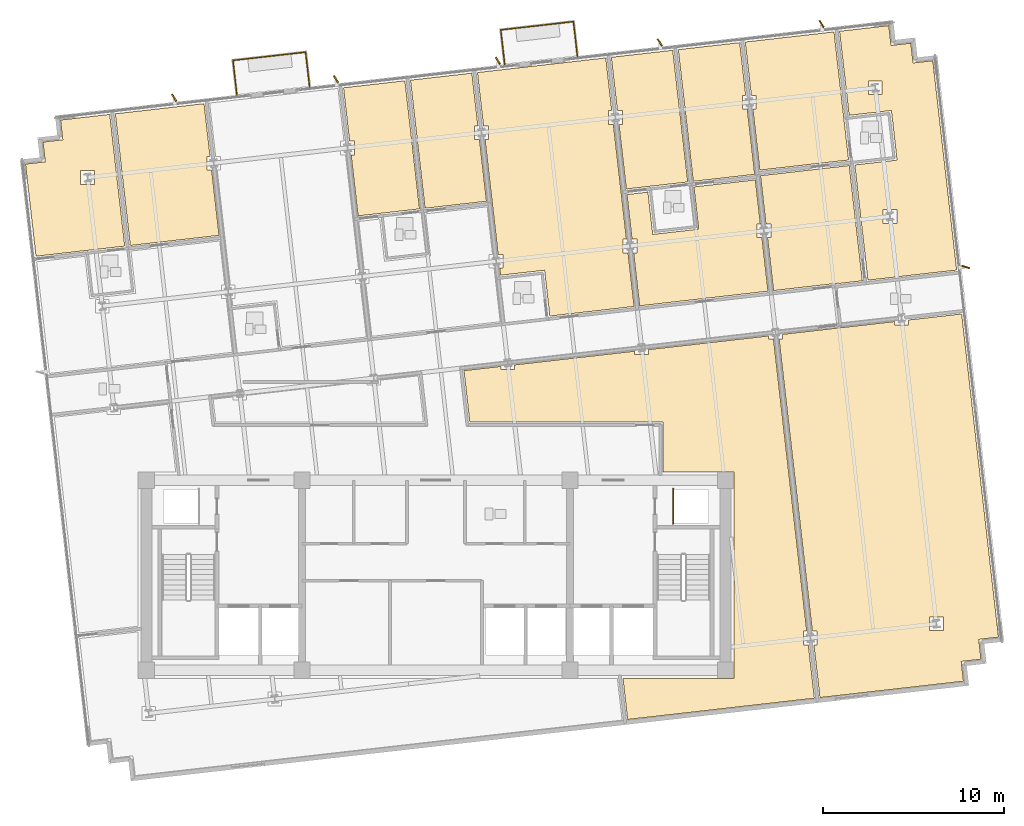
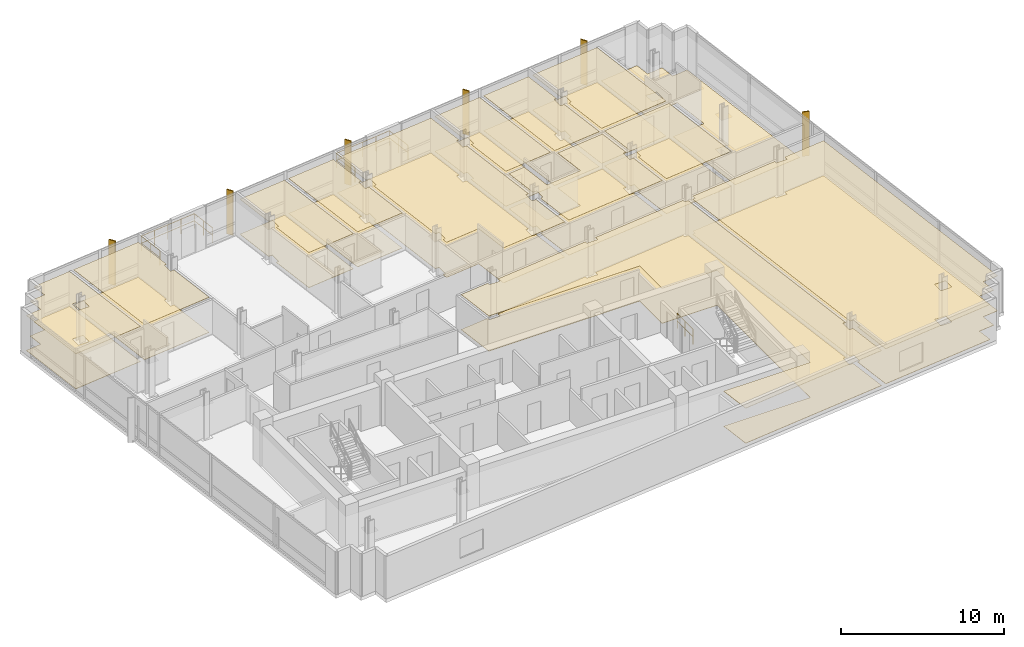
# One storey, part 15 of 17: 25 coverings, 7 railings, 6 shading devices.
"""IFC4 building model written with IfcOpenShell, lengths in metres."""

import ifcopenshell
import ifcopenshell.guid

model = None  # the IFC model being written
_history = None  # IfcOwnerHistory: only IFC2X3 demands one
_inside = {}  # id of a spatial element -> (the spatial element, [elements in it])
_under = {}  # id of a project, library or spatial element -> (it, [spatial elements below it])
_declared = {}  # id of a project -> (the project, [libraries it declares])
_typed = {}  # id of a type object -> (the type object, [elements of that type])
_made_of = {}  # id of a material, layer set ... -> (it, [elements and type objects made of it])


def new_model(schema):
    """Start an empty IFC model of exactly this schema.

    Asked for "IFC4X3", IfcOpenShell would pick the latest addendum, in which some entities
    have other attributes; the version numbers below select the first issue.
    IFC2X3 requires an IfcOwnerHistory on every rooted entity: one is made here for all.
    """
    global model, _history
    if schema == "IFC4X3":
        model = ifcopenshell.file(schema_version=(4, 3, 0, 0))
    else:
        model = ifcopenshell.file(schema=schema)
    _inside.clear()
    _under.clear()
    _declared.clear()
    _typed.clear()
    _made_of.clear()
    _history = None
    if model.schema == "IFC2X3":
        org = make("IfcOrganization", Name="unknown")
        user = make(
            "IfcPersonAndOrganization",
            ThePerson=make("IfcPerson", FamilyName="unknown"),
            TheOrganization=org,
        )
        app = make(
            "IfcApplication",
            ApplicationDeveloper=org,
            Version="unknown",
            ApplicationFullName="unknown",
            ApplicationIdentifier="unknown",
        )
        _history = make(
            "IfcOwnerHistory",
            OwningUser=user,
            OwningApplication=app,
            ChangeAction="ADDED",
            CreationDate=0,
        )
    return model


def make(cls, **values):
    """One entity of the class cls with the attributes given. An attribute that is None is left unset."""
    return model.create_entity(
        cls, **{name: value for name, value in values.items() if value is not None}
    )


def rooted(cls, **values):
    """An entity with a GlobalId (a new one), such as an element, a storey or a relation."""
    return make(cls, GlobalId=ifcopenshell.guid.new(), OwnerHistory=_history, **values)


def si_unit(unit_type, name, prefix=None):
    """IfcSIUnit, for example si_unit("LENGTHUNIT", "METRE", prefix="MILLI")."""
    return make("IfcSIUnit", UnitType=unit_type, Prefix=prefix, Name=name)


def assignment(units):
    """IfcUnitAssignment: the units of a project."""
    return None if units is None else make("IfcUnitAssignment", Units=units)


def point(xyz):
    """IfcCartesianPoint."""
    return None if xyz is None else make("IfcCartesianPoint", Coordinates=xyz)


def direction(xyz):
    """IfcDirection."""
    return None if xyz is None else make("IfcDirection", DirectionRatios=xyz)


def frame(location, z_axis=None, x_axis=None):
    """IfcAxis2Placement3D, a coordinate frame: its origin and axes. An axis left out is left unset."""
    return make(
        "IfcAxis2Placement3D",
        Location=point(location),
        Axis=direction(z_axis),
        RefDirection=direction(x_axis),
    )


def frame_2d(location, x_axis=None):
    """IfcAxis2Placement2D, a coordinate frame in the plane: its origin and x axis."""
    return make(
        "IfcAxis2Placement2D", Location=point(location), RefDirection=direction(x_axis)
    )


def origin():
    """The frame at (0, 0, 0) with its axes left unset."""
    return frame((0.0, 0.0, 0.0))


def origin_2d():
    """The frame at (0, 0) in the plane with its x axis left unset."""
    return frame_2d((0.0, 0.0))


def place(relative_to, where):
    """IfcLocalPlacement: puts the frame where relative to a parent placement (None: the world)."""
    return make(
        "IfcLocalPlacement", PlacementRelTo=relative_to, RelativePlacement=where
    )


def context(
    kind, dimensions, precision=None, world=None, true_north=None, identifier=None
):
    """IfcGeometricRepresentationContext, for example the 3D "Model" context."""
    return make(
        "IfcGeometricRepresentationContext",
        ContextIdentifier=identifier,
        ContextType=kind,
        CoordinateSpaceDimension=dimensions,
        Precision=precision,
        WorldCoordinateSystem=world,
        TrueNorth=true_north,
    )


def subcontext(parent, identifier, kind, view, scale=None):
    """IfcGeometricRepresentationSubContext, for example "Body" below "Model"."""
    return make(
        "IfcGeometricRepresentationSubContext",
        ContextIdentifier=identifier,
        ContextType=kind,
        ParentContext=parent,
        TargetScale=scale,
        TargetView=view,
    )


def project(units=None, contexts=None):
    """IfcProject with its units and contexts."""
    return rooted(
        "IfcProject",
        Name="project",
        RepresentationContexts=contexts,
        UnitsInContext=assignment(units),
    )


def spatial(cls, under=None, at=None, **own):
    """A site, building, storey or space (cls), placed at a placement, below another one or the project."""
    s = rooted(cls, ObjectPlacement=at, **own)
    if under is not None:
        _under.setdefault(under.id(), (under, []))[1].append(s)
    return s


def polyline(points):
    """IfcPolyline through the points."""
    return make("IfcPolyline", Points=[point(p) for p in points])


def profile(cls, at=None, kind="AREA", **sizes):
    """A parametric profile (cls). Its sizes go by their IFC names, for example OverallWidth=200.0."""
    return make(cls, ProfileType=kind, Position=at, **sizes)


def rectangle(**sizes):
    """IfcRectangleProfileDef."""
    return profile("IfcRectangleProfileDef", **sizes)


def circle(**sizes):
    """IfcCircleProfileDef."""
    return profile("IfcCircleProfileDef", **sizes)


def outline(outer, holes=None, kind="AREA"):
    """IfcArbitraryClosedProfileDef: a profile drawn as a closed curve; with holes, ...WithVoids."""
    if holes is None:
        return make("IfcArbitraryClosedProfileDef", ProfileType=kind, OuterCurve=outer)
    return make(
        "IfcArbitraryProfileDefWithVoids",
        ProfileType=kind,
        OuterCurve=outer,
        InnerCurves=holes,
    )


def extrude(swept, where, along, depth):
    """IfcExtrudedAreaSolid: the profile swept, set in the frame where, extruded along a direction by depth."""
    return make(
        "IfcExtrudedAreaSolid",
        SweptArea=swept,
        Position=where,
        ExtrudedDirection=direction(along),
        Depth=depth,
    )


def shape(context_of_items, identifier, shape_type, items):
    """IfcShapeRepresentation: the items that make up one representation, for example the "Body"."""
    return make(
        "IfcShapeRepresentation",
        ContextOfItems=context_of_items,
        RepresentationIdentifier=identifier,
        RepresentationType=shape_type,
        Items=items,
    )


def material(Name=None, Category=None):
    """IfcMaterial."""
    return make("IfcMaterial", Name=Name, Category=Category)


def layer(
    of_material, thickness, ventilated=None, Name=None, Category=None, Priority=None
):
    """IfcMaterialLayer: one layer of a wall or slab, of a material (None: an air gap)."""
    return make(
        "IfcMaterialLayer",
        Material=of_material,
        LayerThickness=thickness,
        IsVentilated=ventilated,
        Name=Name,
        Category=Category,
        Priority=Priority,
    )


def layer_set(layers, Name=None):
    """IfcMaterialLayerSet."""
    return make("IfcMaterialLayerSet", MaterialLayers=layers, LayerSetName=Name)


def made_of(thing, what):
    """Note that an element or type object is made of a material, layer set ...; save() writes the relation."""
    if what is not None:
        _made_of.setdefault(what.id(), (what, []))[1].append(thing)
    return thing


def type_object(cls, material=None, **own):
    """A type object (cls), such as IfcWallType, which elements share."""
    return made_of(rooted(cls, **own), material)


def element(
    cls,
    number,
    at=None,
    inside=None,
    cuts=None,
    type_object=None,
    material=None,
    context=None,
    identifier="Body",
    shape_type=None,
    held_by="IfcProductDefinitionShape",
    body=None,
    shapes=None,
    **own,
):
    """One element of the class cls, such as IfcWall. Its Tag is "e" and its number.

    at: its placement. inside: the storey or other place that contains it. cuts: it is an
    opening in that element (IfcRelVoidsElement). A single representation is given by context,
    identifier, shape_type and body (its items); several are given by shapes. held_by: the class
    of the entity that holds the representations. save() writes the other relations.
    """
    e = rooted(cls, Tag="e%d" % number, ObjectPlacement=at, **own)
    if body is not None:
        shapes = [shape(context, identifier, shape_type, body)]
    if shapes is not None:
        e.Representation = make(held_by, Representations=shapes)
    if inside is not None:
        _inside.setdefault(inside.id(), (inside, []))[1].append(e)
    if cuts is not None:
        rooted(
            "IfcRelVoidsElement", RelatingBuildingElement=cuts, RelatedOpeningElement=e
        )
    if type_object is not None:
        _typed.setdefault(type_object.id(), (type_object, []))[1].append(e)
    return made_of(e, material)


def aggregate(whole, parts):
    """IfcRelAggregates: a whole, such as a stair, and the parts it consists of."""
    return rooted("IfcRelAggregates", RelatingObject=whole, RelatedObjects=parts)


def save(model, path):
    """Write the relations noted so far, then the file.

    IfcRelAggregates (storeys below a building ...), IfcRelContainedInSpatialStructure (elements
    in a storey), IfcRelDefinesByType, IfcRelAssociatesMaterial and IfcRelDeclares: one each for
    every whole, place, type object, material and project.
    """
    for whole, parts in _under.values():
        aggregate(whole, parts)
    for where, things in _inside.values():
        rooted(
            "IfcRelContainedInSpatialStructure",
            RelatedElements=things,
            RelatingStructure=where,
        )
    for kind, things in _typed.values():
        rooted("IfcRelDefinesByType", RelatedObjects=things, RelatingType=kind)
    for what, things in _made_of.values():
        rooted("IfcRelAssociatesMaterial", RelatedObjects=things, RelatingMaterial=what)
    for by, libraries in _declared.values():
        rooted("IfcRelDeclares", RelatingContext=by, RelatedDefinitions=libraries)
    model.write(path)


model = new_model("IFC4")

# Units and contexts
model_context = context("Model", 3, precision=1e-05, world=origin(), true_north=direction((0.0, 1.0)))
body_context = subcontext(model_context, "Body", "Model", "MODEL_VIEW")
ifc_project = project(units=[si_unit("LENGTHUNIT", "METRE"), si_unit("AREAUNIT", "SQUARE_METRE"), si_unit("VOLUMEUNIT", "CUBIC_METRE"), si_unit("PLANEANGLEUNIT", "RADIAN"), si_unit("MASSUNIT", "GRAM", prefix="KILO")], contexts=[model_context])

# Site, building, storey
site_placement = place(None, origin())
site = spatial("IfcSite", under=ifc_project, at=site_placement, CompositionType="ELEMENT")
building_placement = place(site_placement, origin())
building = spatial("IfcBuilding", under=site, at=building_placement, Name="Solmavex Isthmus Hotel", CompositionType="ELEMENT")
storey_placement = place(building_placement, frame((0.0, 0.0, 202.050048828125)))
storey = spatial("IfcBuildingStorey", under=building, at=storey_placement, Name="L54", CompositionType="ELEMENT", Elevation=202.050048828125)

# Coverings
ifc_material_1 = material(Name="Gypsum plasterboard lining", Category="gypsum")
ifc_layer_1 = layer(ifc_material_1, 0.030029296875)
ifc_layer_set_1 = layer_set([ifc_layer_1], Name="Gypsum plasterboard lining")
covering_type_1 = type_object("IfcCoveringType", Name="COV-CEIL-GYP", PredefinedType="CEILING", material=ifc_layer_set_1)
covering_1_placement = place(storey_placement, frame((0.0, 0.0, 2.619873046875)))
element("IfcCovering", 1, at=covering_1_placement, inside=storey, type_object=covering_type_1, Name="Suspended Acoustic Ceiling L54-HB01", PredefinedType="CEILING", context=body_context, shape_type="SweptSolid", body=[
    extrude(outline(polyline([(-22.677001953125, 14.966552734375), (-22.58349609375, 14.146728515625), (-22.09716796875, 9.87744140625), (-17.19482421875, 10.435791015625), (-18.023681640625, 17.7109375), (-19.92041015625, 17.49462890625), (-20.740234375, 17.4013671875), (-20.615478515625, 16.308349609375), (-21.70849609375, 16.183837890625), (-21.583984375, 15.091064453125), (-22.677001953125, 14.966552734375)]), holes=[polyline([(-19.6259765625, 13.844970703125), (-19.6259765625, 14.60498046875), (-18.865966796875, 14.60498046875), (-18.865966796875, 13.844970703125), (-19.6259765625, 13.844970703125)])]), origin(), (0.0, 0.0, 1.0), 0.030029296875),
])
covering_2_placement = place(storey_placement, frame((0.0, 0.0, 2.619873046875)))
element("IfcCovering", 2, at=covering_2_placement, inside=storey, type_object=covering_type_1, Name="Suspended Acoustic Ceiling L54-HP01", PredefinedType="CEILING", context=body_context, shape_type="SweptSolid", body=[
    extrude(outline(polyline([(-12.395751953125, 14.638427734375), (-12.6630859375, 14.638427734375), (-12.6630859375, 15.3984375), (-12.482421875, 15.3984375), (-12.8134765625, 18.304443359375), (-17.715576171875, 17.745849609375), (-16.88671875, 10.470947265625), (-11.984619140625, 11.029541015625), (-12.395751953125, 14.638427734375)])), origin(), (0.0, 0.0, 1.0), 0.030029296875),
])
covering_3_placement = place(storey_placement, frame((0.0, 0.0, 2.619873046875)))
element("IfcCovering", 3, at=covering_3_placement, inside=storey, type_object=covering_type_1, Name="Suspended Acoustic Ceiling L54-TB03", PredefinedType="CEILING", context=body_context, shape_type="SweptSolid", body=[
    extrude(outline(polyline([(-4.772216796875, 16.2412109375), (-4.5048828125, 16.2412109375), (-4.5048828125, 15.481201171875), (-4.685546875, 15.481201171875), (-4.301025390625, 12.106201171875), (-0.909912109375, 12.49267578125), (-1.71630859375, 19.56884765625), (-5.107177734375, 19.182373046875), (-4.772216796875, 16.2412109375)])), origin(), (0.0, 0.0, 1.0), 0.030029296875),
])
covering_4_placement = place(storey_placement, frame((0.0, 0.0, 2.619873046875)))
element("IfcCovering", 4, at=covering_4_placement, inside=storey, type_object=covering_type_1, Name="Suspended Acoustic Ceiling L54-TL03", PredefinedType="CEILING", context=body_context, shape_type="SweptSolid", body=[
    extrude(outline(polyline([(2.400634765625, 16.32421875), (2.13330078125, 16.32421875), (2.13330078125, 17.084228515625), (2.31396484375, 17.084228515625), (1.98291015625, 19.990234375), (-1.408203125, 19.60400390625), (-0.60205078125, 12.52783203125), (2.7890625, 12.9140625), (2.400634765625, 16.32421875)])), origin(), (0.0, 0.0, 1.0), 0.030029296875),
])
covering_5_placement = place(storey_placement, frame((0.0, 0.0, 2.619873046875)))
element("IfcCovering", 5, at=covering_5_placement, inside=storey, type_object=covering_type_1, Name="Suspended Acoustic Ceiling L54-RM04", PredefinedType="CEILING", context=body_context, shape_type="SweptSolid", body=[
    extrude(outline(polyline([(3.435546875, 9.978271484375), (3.702880859375, 9.978271484375), (3.702880859375, 9.21826171875), (3.522216796875, 9.21826171875), (3.566650390625, 8.827880859375), (6.0009765625, 9.105224609375), (6.28955078125, 6.571533203125), (10.945556640625, 7.10205078125), (10.6083984375, 10.06103515625), (10.341064453125, 10.06103515625), (10.341064453125, 10.821044921875), (10.521728515625, 10.821044921875), (9.798583984375, 17.167236328125), (9.531494140625, 17.167236328125), (9.531494140625, 17.92724609375), (9.712158203125, 17.92724609375), (9.381103515625, 20.833251953125), (2.290771484375, 20.025390625), (2.6259765625, 17.084228515625), (2.893310546875, 17.084228515625), (2.893310546875, 16.32421875), (2.712646484375, 16.32421875), (3.435546875, 9.978271484375)])), origin(), (0.0, 0.0, 1.0), 0.030029296875),
])
covering_6_placement = place(storey_placement, frame((0.0, 0.0, 2.619873046875)))
element("IfcCovering", 6, at=covering_6_placement, inside=storey, type_object=covering_type_1, Name="Suspended Acoustic Ceiling L54-SH05-LV", PredefinedType="CEILING", context=body_context, shape_type="SweptSolid", body=[
    extrude(outline(polyline([(18.006591796875, 10.904052734375), (17.7392578125, 10.904052734375), (17.7392578125, 11.6640625), (17.919921875, 11.6640625), (17.64306640625, 14.09326171875), (14.251953125, 13.706787109375), (14.51806640625, 11.371826171875), (11.974609375, 11.08203125), (11.70849609375, 13.4169921875), (10.552978515625, 13.285400390625), (10.833740234375, 10.821044921875), (11.10107421875, 10.821044921875), (11.10107421875, 10.06103515625), (10.92041015625, 10.06103515625), (11.25341796875, 7.13720703125), (18.343505859375, 7.945068359375), (18.006591796875, 10.904052734375)])), origin(), (0.0, 0.0, 1.0), 0.030029296875),
])
covering_7_placement = place(storey_placement, frame((0.0, 0.0, 2.619873046875)))
element("IfcCovering", 7, at=covering_7_placement, inside=storey, type_object=covering_type_1, Name="Suspended Acoustic Ceiling L54-HB05", PredefinedType="CEILING", context=body_context, shape_type="SweptSolid", body=[
    extrude(outline(polyline([(10.024169921875, 17.92724609375), (10.29150390625, 17.92724609375), (10.29150390625, 17.167236328125), (10.110595703125, 17.167236328125), (10.517822265625, 13.59326171875), (13.908935546875, 13.979736328125), (13.080078125, 21.254638671875), (9.68896484375, 20.868408203125), (10.024169921875, 17.92724609375)])), origin(), (0.0, 0.0, 1.0), 0.030029296875),
])
covering_8_placement = place(storey_placement, frame((0.0, 0.0, 2.619873046875)))
element("IfcCovering", 8, at=covering_8_placement, inside=storey, type_object=covering_type_1, Name="Suspended Acoustic Ceiling L54-HP05", PredefinedType="CEILING", context=body_context, shape_type="SweptSolid", body=[
    extrude(outline(polyline([(17.19677734375, 18.010009765625), (16.929443359375, 18.010009765625), (16.929443359375, 18.77001953125), (17.1103515625, 18.77001953125), (16.779052734375, 21.676025390625), (13.38818359375, 21.289794921875), (14.217041015625, 14.014892578125), (17.60791015625, 14.401123046875), (17.19677734375, 18.010009765625)])), origin(), (0.0, 0.0, 1.0), 0.030029296875),
])
covering_9_placement = place(storey_placement, frame((0.0, 0.0, 2.619873046875)))
element("IfcCovering", 9, at=covering_9_placement, inside=storey, type_object=covering_type_1, Name="Suspended Acoustic Ceiling L54-SL06-FY", PredefinedType="CEILING", context=body_context, shape_type="SweptSolid", body=[
    extrude(outline(polyline([(18.23193359375, 11.6640625), (18.499267578125, 11.6640625), (18.499267578125, 10.904052734375), (18.318359375, 10.904052734375), (18.651611328125, 7.97998046875), (22.228515625, 8.3876953125), (22.230712890625, 8.36767578125), (23.55615234375, 8.518798828125), (22.830810546875, 14.885498046875), (17.928466796875, 14.326904296875), (18.17626953125, 12.15185546875), (18.23193359375, 11.6640625)])), origin(), (0.0, 0.0, 1.0), 0.030029296875),
])
covering_10_placement = place(storey_placement, frame((0.0, 0.0, 2.619873046875)))
element("IfcCovering", 10, at=covering_10_placement, inside=storey, type_object=covering_type_1, Name="Suspended Acoustic Ceiling L54-SL06-BD", PredefinedType="CEILING", context=body_context, shape_type="SweptSolid", body=[
    extrude(outline(polyline([(17.42236328125, 18.77001953125), (17.689453125, 18.77001953125), (17.689453125, 18.010009765625), (17.5087890625, 18.010009765625), (17.893310546875, 14.635009765625), (22.795654296875, 15.193603515625), (21.989501953125, 22.269775390625), (17.087158203125, 21.711181640625), (17.42236328125, 18.77001953125)])), origin(), (0.0, 0.0, 1.0), 0.030029296875),
])
covering_11_placement = place(storey_placement, frame((0.0, 0.0, 2.619873046875)))
element("IfcCovering", 11, at=covering_11_placement, inside=storey, type_object=covering_type_1, Name="Suspended Acoustic Ceiling L54-FL12", PredefinedType="CEILING", context=body_context, shape_type="SweptSolid", body=[
    extrude(outline(polyline([(4.34228515625, 3.873779296875), (4.34228515625, 3.6064453125), (3.582275390625, 3.6064453125), (3.582275390625, 3.787109375), (1.547607421875, 3.555419921875), (1.872314453125, 0.705078125), (12.554931640625, 0.705078125), (12.554931640625, -2.044921875), (16.455078125, -2.044921875), (16.455078125, -13.455078125), (10.332763671875, -13.455078125), (10.590087890625, -15.71484375), (17.361328125, -14.943359375), (20.905517578125, -14.53955078125), (20.5703125, -11.598388671875), (20.302978515625, -11.598388671875), (20.302978515625, -10.83837890625), (20.483642578125, -10.83837890625), (18.645751953125, 5.292236328125), (18.378662109375, 5.292236328125), (18.378662109375, 5.472900390625), (11.740478515625, 4.716796875), (11.740478515625, 4.449462890625), (10.98046875, 4.449462890625), (10.98046875, 4.630126953125), (4.34228515625, 3.873779296875)])), origin(), (0.0, 0.0, 1.0), 0.030029296875),
])
covering_12_placement = place(storey_placement, frame((0.0, 0.0, 2.619873046875)))
element("IfcCovering", 12, at=covering_12_placement, inside=storey, type_object=covering_type_1, Name="Suspended Acoustic Ceiling L54-FL13", PredefinedType="CEILING", context=body_context, shape_type="SweptSolid", body=[
    extrude(outline(polyline([(20.795654296875, -10.83837890625), (21.06298828125, -10.83837890625), (21.06298828125, -11.598388671875), (20.88232421875, -11.598388671875), (21.21337890625, -14.50439453125), (28.3203125, -13.69482421875), (29.14013671875, -13.601318359375), (29.015625, -12.50830078125), (30.108642578125, -12.3837890625), (29.98388671875, -11.291015625), (31.076904296875, -11.16650390625), (30.983642578125, -10.3466796875), (29.042724609375, 6.68798828125), (26.1015625, 6.35302734375), (26.1015625, 6.085693359375), (25.341552734375, 6.085693359375), (25.341552734375, 6.266357421875), (19.138427734375, 5.5595703125), (19.138427734375, 5.292236328125), (18.957763671875, 5.292236328125), (20.795654296875, -10.83837890625)]), holes=[polyline([(27.265869140625, -10.80517578125), (27.265869140625, -10.045166015625), (28.02587890625, -10.045166015625), (28.02587890625, -10.80517578125), (27.265869140625, -10.80517578125)])]), origin(), (0.0, 0.0, 1.0), 0.030029296875),
])
ifc_material_2 = material(Name="Travertine natural stone", Category="masonry")
ifc_layer_2 = layer(ifc_material_2, 0.02490234375)
ifc_layer_set_2 = layer_set([ifc_layer_2], Name="Travertine natural stone")
covering_type_2 = type_object("IfcCoveringType", Name="COV-FLOR-STN", PredefinedType="FLOORING", material=ifc_layer_set_2)
covering_13_placement = place(storey_placement, origin())
element("IfcCovering", 13, at=covering_13_placement, inside=storey, type_object=covering_type_2, Name="Stone and Timber Floor Finish L54-HB01", PredefinedType="FLOORING", context=body_context, shape_type="SweptSolid", body=[
    extrude(outline(polyline([(-22.677001953125, 14.966552734375), (-22.58349609375, 14.146728515625), (-22.09716796875, 9.87744140625), (-17.19482421875, 10.435791015625), (-18.023681640625, 17.7109375), (-19.92041015625, 17.49462890625), (-20.740234375, 17.4013671875), (-20.615478515625, 16.308349609375), (-21.70849609375, 16.183837890625), (-21.583984375, 15.091064453125), (-22.677001953125, 14.966552734375)]), holes=[polyline([(-19.6259765625, 13.844970703125), (-19.6259765625, 14.60498046875), (-18.865966796875, 14.60498046875), (-18.865966796875, 13.844970703125), (-19.6259765625, 13.844970703125)])]), origin(), (0.0, 0.0, 1.0), 0.02490234375),
])
covering_14_placement = place(storey_placement, origin())
element("IfcCovering", 14, at=covering_14_placement, inside=storey, type_object=covering_type_2, Name="Stone and Timber Floor Finish L54-HP01", PredefinedType="FLOORING", context=body_context, shape_type="SweptSolid", body=[
    extrude(outline(polyline([(-12.395751953125, 14.638427734375), (-12.6630859375, 14.638427734375), (-12.6630859375, 15.3984375), (-12.482421875, 15.3984375), (-12.8134765625, 18.304443359375), (-17.715576171875, 17.745849609375), (-16.88671875, 10.470947265625), (-11.984619140625, 11.029541015625), (-12.395751953125, 14.638427734375)])), origin(), (0.0, 0.0, 1.0), 0.02490234375),
])
covering_15_placement = place(storey_placement, origin())
element("IfcCovering", 15, at=covering_15_placement, inside=storey, type_object=covering_type_2, Name="Stone and Timber Floor Finish L54-TB03", PredefinedType="FLOORING", context=body_context, shape_type="SweptSolid", body=[
    extrude(outline(polyline([(-4.772216796875, 16.2412109375), (-4.5048828125, 16.2412109375), (-4.5048828125, 15.481201171875), (-4.685546875, 15.481201171875), (-4.301025390625, 12.106201171875), (-0.909912109375, 12.49267578125), (-1.71630859375, 19.56884765625), (-5.107177734375, 19.182373046875), (-4.772216796875, 16.2412109375)])), origin(), (0.0, 0.0, 1.0), 0.02490234375),
])
covering_16_placement = place(storey_placement, origin())
element("IfcCovering", 16, at=covering_16_placement, inside=storey, type_object=covering_type_2, Name="Stone and Timber Floor Finish L54-TL03", PredefinedType="FLOORING", context=body_context, shape_type="SweptSolid", body=[
    extrude(outline(polyline([(2.400634765625, 16.32421875), (2.13330078125, 16.32421875), (2.13330078125, 17.084228515625), (2.31396484375, 17.084228515625), (1.98291015625, 19.990234375), (-1.408203125, 19.60400390625), (-0.60205078125, 12.52783203125), (2.7890625, 12.9140625), (2.400634765625, 16.32421875)])), origin(), (0.0, 0.0, 1.0), 0.02490234375),
])
covering_17_placement = place(storey_placement, origin())
element("IfcCovering", 17, at=covering_17_placement, inside=storey, type_object=covering_type_2, Name="Stone and Timber Floor Finish L54-RM04", PredefinedType="FLOORING", context=body_context, shape_type="SweptSolid", body=[
    extrude(outline(polyline([(3.435546875, 9.978271484375), (3.702880859375, 9.978271484375), (3.702880859375, 9.21826171875), (3.522216796875, 9.21826171875), (3.566650390625, 8.827880859375), (6.0009765625, 9.105224609375), (6.28955078125, 6.571533203125), (10.945556640625, 7.10205078125), (10.6083984375, 10.06103515625), (10.341064453125, 10.06103515625), (10.341064453125, 10.821044921875), (10.521728515625, 10.821044921875), (9.798583984375, 17.167236328125), (9.531494140625, 17.167236328125), (9.531494140625, 17.92724609375), (9.712158203125, 17.92724609375), (9.381103515625, 20.833251953125), (2.290771484375, 20.025390625), (2.6259765625, 17.084228515625), (2.893310546875, 17.084228515625), (2.893310546875, 16.32421875), (2.712646484375, 16.32421875), (3.435546875, 9.978271484375)])), origin(), (0.0, 0.0, 1.0), 0.02490234375),
])
covering_18_placement = place(storey_placement, origin())
element("IfcCovering", 18, at=covering_18_placement, inside=storey, type_object=covering_type_2, Name="Stone and Timber Floor Finish L54-SH05-LV", PredefinedType="FLOORING", context=body_context, shape_type="SweptSolid", body=[
    extrude(outline(polyline([(18.006591796875, 10.904052734375), (17.7392578125, 10.904052734375), (17.7392578125, 11.6640625), (17.919921875, 11.6640625), (17.64306640625, 14.09326171875), (14.251953125, 13.706787109375), (14.51806640625, 11.371826171875), (11.974609375, 11.08203125), (11.70849609375, 13.4169921875), (10.552978515625, 13.285400390625), (10.833740234375, 10.821044921875), (11.10107421875, 10.821044921875), (11.10107421875, 10.06103515625), (10.92041015625, 10.06103515625), (11.25341796875, 7.13720703125), (18.343505859375, 7.945068359375), (18.006591796875, 10.904052734375)])), origin(), (0.0, 0.0, 1.0), 0.02490234375),
])
covering_19_placement = place(storey_placement, origin())
element("IfcCovering", 19, at=covering_19_placement, inside=storey, type_object=covering_type_2, Name="Stone and Timber Floor Finish L54-HB05", PredefinedType="FLOORING", context=body_context, shape_type="SweptSolid", body=[
    extrude(outline(polyline([(10.024169921875, 17.92724609375), (10.29150390625, 17.92724609375), (10.29150390625, 17.167236328125), (10.110595703125, 17.167236328125), (10.517822265625, 13.59326171875), (13.908935546875, 13.979736328125), (13.080078125, 21.254638671875), (9.68896484375, 20.868408203125), (10.024169921875, 17.92724609375)])), origin(), (0.0, 0.0, 1.0), 0.02490234375),
])
covering_20_placement = place(storey_placement, origin())
element("IfcCovering", 20, at=covering_20_placement, inside=storey, type_object=covering_type_2, Name="Stone and Timber Floor Finish L54-HP05", PredefinedType="FLOORING", context=body_context, shape_type="SweptSolid", body=[
    extrude(outline(polyline([(17.19677734375, 18.010009765625), (16.929443359375, 18.010009765625), (16.929443359375, 18.77001953125), (17.1103515625, 18.77001953125), (16.779052734375, 21.676025390625), (13.38818359375, 21.289794921875), (14.217041015625, 14.014892578125), (17.60791015625, 14.401123046875), (17.19677734375, 18.010009765625)])), origin(), (0.0, 0.0, 1.0), 0.02490234375),
])
covering_21_placement = place(storey_placement, origin())
element("IfcCovering", 21, at=covering_21_placement, inside=storey, type_object=covering_type_2, Name="Stone and Timber Floor Finish L54-SL06-FY", PredefinedType="FLOORING", context=body_context, shape_type="SweptSolid", body=[
    extrude(outline(polyline([(18.23193359375, 11.6640625), (18.499267578125, 11.6640625), (18.499267578125, 10.904052734375), (18.318359375, 10.904052734375), (18.651611328125, 7.97998046875), (22.228515625, 8.3876953125), (22.230712890625, 8.36767578125), (23.55615234375, 8.518798828125), (22.830810546875, 14.885498046875), (17.928466796875, 14.326904296875), (18.17626953125, 12.15185546875), (18.23193359375, 11.6640625)])), origin(), (0.0, 0.0, 1.0), 0.02490234375),
])
covering_22_placement = place(storey_placement, origin())
element("IfcCovering", 22, at=covering_22_placement, inside=storey, type_object=covering_type_2, Name="Stone and Timber Floor Finish L54-SL06-BD", PredefinedType="FLOORING", context=body_context, shape_type="SweptSolid", body=[
    extrude(outline(polyline([(17.42236328125, 18.77001953125), (17.689453125, 18.77001953125), (17.689453125, 18.010009765625), (17.5087890625, 18.010009765625), (17.893310546875, 14.635009765625), (22.795654296875, 15.193603515625), (21.989501953125, 22.269775390625), (17.087158203125, 21.711181640625), (17.42236328125, 18.77001953125)])), origin(), (0.0, 0.0, 1.0), 0.02490234375),
])
covering_23_placement = place(storey_placement, origin())
element("IfcCovering", 23, at=covering_23_placement, inside=storey, type_object=covering_type_2, Name="Stone and Timber Floor Finish L54-SV06", PredefinedType="FLOORING", context=body_context, shape_type="SweptSolid", body=[
    extrude(outline(polyline([(25.138427734375, 21.521484375), (25.013916015625, 22.6142578125), (24.194091796875, 22.52099609375), (22.29736328125, 22.304931640625), (22.826416015625, 17.662841796875), (25.1611328125, 17.928955078125), (25.4736328125, 15.186767578125), (23.138671875, 14.920654296875), (23.8642578125, 8.5537109375), (28.766357421875, 9.1123046875), (27.542236328125, 19.85791015625), (27.44873046875, 20.677490234375), (26.35595703125, 20.552978515625), (26.231201171875, 21.64599609375), (25.138427734375, 21.521484375)]), holes=[polyline([(24.7021484375, 11.697265625), (24.7021484375, 12.457275390625), (25.462158203125, 12.457275390625), (25.462158203125, 11.697265625), (24.7021484375, 11.697265625)]), polyline([(23.892578125, 19.5634765625), (24.652587890625, 19.5634765625), (24.652587890625, 18.803466796875), (23.892578125, 18.803466796875), (23.892578125, 19.5634765625)])]), origin(), (0.0, 0.0, 1.0), 0.02490234375),
])
covering_24_placement = place(storey_placement, origin())
element("IfcCovering", 24, at=covering_24_placement, inside=storey, type_object=covering_type_2, Name="Stone and Timber Floor Finish L54-FL12", PredefinedType="FLOORING", context=body_context, shape_type="SweptSolid", body=[
    extrude(outline(polyline([(4.34228515625, 3.873779296875), (4.34228515625, 3.6064453125), (3.582275390625, 3.6064453125), (3.582275390625, 3.787109375), (1.547607421875, 3.555419921875), (1.872314453125, 0.705078125), (12.554931640625, 0.705078125), (12.554931640625, -2.044921875), (16.455078125, -2.044921875), (16.455078125, -13.455078125), (10.332763671875, -13.455078125), (10.590087890625, -15.71484375), (17.361328125, -14.943359375), (20.905517578125, -14.53955078125), (20.5703125, -11.598388671875), (20.302978515625, -11.598388671875), (20.302978515625, -10.83837890625), (20.483642578125, -10.83837890625), (18.645751953125, 5.292236328125), (18.378662109375, 5.292236328125), (18.378662109375, 5.472900390625), (11.740478515625, 4.716796875), (11.740478515625, 4.449462890625), (10.98046875, 4.449462890625), (10.98046875, 4.630126953125), (4.34228515625, 3.873779296875)])), origin(), (0.0, 0.0, 1.0), 0.02490234375),
])
covering_25_placement = place(storey_placement, origin())
element("IfcCovering", 25, at=covering_25_placement, inside=storey, type_object=covering_type_2, Name="Stone and Timber Floor Finish L54-FL13", PredefinedType="FLOORING", context=body_context, shape_type="SweptSolid", body=[
    extrude(outline(polyline([(20.795654296875, -10.83837890625), (21.06298828125, -10.83837890625), (21.06298828125, -11.598388671875), (20.88232421875, -11.598388671875), (21.21337890625, -14.50439453125), (28.3203125, -13.69482421875), (29.14013671875, -13.601318359375), (29.015625, -12.50830078125), (30.108642578125, -12.3837890625), (29.98388671875, -11.291015625), (31.076904296875, -11.16650390625), (30.983642578125, -10.3466796875), (29.042724609375, 6.68798828125), (26.1015625, 6.35302734375), (26.1015625, 6.085693359375), (25.341552734375, 6.085693359375), (25.341552734375, 6.266357421875), (19.138427734375, 5.5595703125), (19.138427734375, 5.292236328125), (18.957763671875, 5.292236328125), (20.795654296875, -10.83837890625)]), holes=[polyline([(27.265869140625, -10.80517578125), (27.265869140625, -10.045166015625), (28.02587890625, -10.045166015625), (28.02587890625, -10.80517578125), (27.265869140625, -10.80517578125)])]), origin(), (0.0, 0.0, 1.0), 0.02490234375),
])

# Railings
ifc_material_3 = material(Name="Clear low-E laminated glass", Category="glass")
ifc_layer_3 = layer(ifc_material_3, 0.080078125)
ifc_layer_set_3 = layer_set([ifc_layer_3], Name="Clear low-E laminated glass")
railing_type_1 = type_object("IfcRailingType", Name="RAIL-ATRIUM-1120", PredefinedType="BALUSTRADE", material=ifc_layer_set_3)
railing_1_placement = place(storey_placement, frame((13.10009765625, -4.89990234375, 0.0)))
element("IfcRailing", 26, at=railing_1_placement, inside=storey, type_object=railing_type_1, Name="Guardrail Balustrade L54-RSE-01", PredefinedType="BALUSTRADE", context=body_context, shape_type="SweptSolid", body=[
    extrude(circle(Radius=0.02392578125, at=origin_2d()), frame((0.0, 0.0, 1.1259765625), z_axis=(0.0, 1.0, 0.0), x_axis=(-1.0, 0.0, 0.0)), (0.0, 0.0, 1.0), 1.949951171875),
    extrude(circle(Radius=0.02392578125, at=origin_2d()), frame((0.0, 0.0, 0.574951171875), z_axis=(0.0, 1.0, 0.0), x_axis=(-1.0, 0.0, 0.0)), (0.0, 0.0, 1.0), 1.949951171875),
    extrude(circle(Radius=0.02099609375, at=origin_2d()), origin(), (0.0, 0.0, 1.0), 1.101806640625),
    extrude(circle(Radius=0.02099609375, at=origin_2d()), frame((0.0, 0.97509765625, 0.0)), (0.0, 0.0, 1.0), 1.101806640625),
    extrude(circle(Radius=0.02099609375, at=origin_2d()), frame((0.0, 1.949951171875, 0.0)), (0.0, 0.0, 1.0), 1.101806640625),
])
ifc_layer_4 = layer(ifc_material_3, 0.070068359375)
ifc_layer_set_4 = layer_set([ifc_layer_4], Name="Clear low-E laminated glass")
railing_type_2 = type_object("IfcRailingType", Name="RAIL-GUARD-1100", PredefinedType="BALUSTRADE", material=ifc_layer_set_4)
railing_2_placement = place(storey_placement, frame((-10.99853515625, 18.7880859375, 0.0)))
element("IfcRailing", 27, at=railing_2_placement, inside=storey, type_object=railing_type_2, Name="Guardrail Balustrade L54-BAL1-01", PredefinedType="BALUSTRADE", context=body_context, shape_type="SweptSolid", body=[
    extrude(circle(Radius=0.02392578125, at=origin_2d()), frame((0.0, 0.0, 1.09619140625), z_axis=(-0.113166454875, 0.993576043135, 0.0), x_axis=(-0.993576043135, -0.113166454875, 0.0)), (0.0, 0.0, 1.0), 1.920166015625),
    extrude(circle(Radius=0.02392578125, at=origin_2d()), frame((0.0, 0.0, 0.56005859375), z_axis=(-0.113166454875, 0.993576043135, 0.0), x_axis=(-0.993576043135, -0.113166454875, 0.0)), (0.0, 0.0, 1.0), 1.920166015625),
    extrude(circle(Radius=0.02099609375, at=origin_2d()), origin(), (0.0, 0.0, 1.0), 1.072021484375),
    extrude(circle(Radius=0.02099609375, at=origin_2d()), frame((-0.108642578125, 0.953857421875, 0.0)), (0.0, 0.0, 1.0), 1.072021484375),
    extrude(circle(Radius=0.02099609375, at=origin_2d()), frame((-0.21728515625, 1.90771484375, 0.0)), (0.0, 0.0, 1.0), 1.072021484375),
])
railing_3_placement = place(storey_placement, frame((-11.2158203125, 20.69580078125, 0.0)))
element("IfcRailing", 28, at=railing_3_placement, inside=storey, type_object=railing_type_2, Name="Guardrail Balustrade L54-BAL1-02", PredefinedType="BALUSTRADE", context=body_context, shape_type="SweptSolid", body=[
    extrude(circle(Radius=0.02392578125, at=origin_2d()), frame((0.0, 0.0, 1.09619140625), z_axis=(0.993573319275, 0.113190367192, 0.0), x_axis=(-0.113190367192, 0.993573319275, 0.0)), (0.0, 0.0, 1.0), 4.039794921875),
    extrude(circle(Radius=0.02392578125, at=origin_2d()), frame((0.0, 0.0, 0.56005859375), z_axis=(0.993573319275, 0.113190367192, 0.0), x_axis=(-0.113190367192, 0.993573319275, 0.0)), (0.0, 0.0, 1.0), 4.039794921875),
    extrude(circle(Radius=0.02099609375, at=origin_2d()), origin(), (0.0, 0.0, 1.0), 1.072021484375),
    extrude(circle(Radius=0.02099609375, at=origin_2d()), frame((1.00341796875, 0.1142578125, 0.0)), (0.0, 0.0, 1.0), 1.072021484375),
    extrude(circle(Radius=0.02099609375, at=origin_2d()), frame((2.0068359375, 0.228515625, 0.0)), (0.0, 0.0, 1.0), 1.072021484375),
    extrude(circle(Radius=0.02099609375, at=origin_2d()), frame((3.010498046875, 0.343017578125, 0.0)), (0.0, 0.0, 1.0), 1.072021484375),
    extrude(circle(Radius=0.02099609375, at=origin_2d()), frame((4.013916015625, 0.457275390625, 0.0)), (0.0, 0.0, 1.0), 1.072021484375),
])
railing_4_placement = place(storey_placement, frame((-7.201904296875, 21.153076171875, 0.0)))
element("IfcRailing", 29, at=railing_4_placement, inside=storey, type_object=railing_type_2, Name="Guardrail Balustrade L54-BAL1-03", PredefinedType="BALUSTRADE", context=body_context, shape_type="SweptSolid", body=[
    extrude(circle(Radius=0.02392578125, at=origin_2d()), frame((0.0, 0.0, 1.09619140625), z_axis=(0.113291977077, -0.993561738359, 0.0), x_axis=(0.993561738359, 0.113291977077, 0.0)), (0.0, 0.0, 1.0), 1.920166015625),
    extrude(circle(Radius=0.02392578125, at=origin_2d()), frame((0.0, 0.0, 0.56005859375), z_axis=(0.113291977077, -0.993561738359, 0.0), x_axis=(0.993561738359, 0.113291977077, 0.0)), (0.0, 0.0, 1.0), 1.920166015625),
    extrude(circle(Radius=0.02099609375, at=origin_2d()), origin(), (0.0, 0.0, 1.0), 1.072021484375),
    extrude(circle(Radius=0.02099609375, at=origin_2d()), frame((0.10888671875, -0.953857421875, 0.0)), (0.0, 0.0, 1.0), 1.072021484375),
    extrude(circle(Radius=0.02099609375, at=origin_2d()), frame((0.217529296875, -1.90771484375, 0.0)), (0.0, 0.0, 1.0), 1.072021484375),
])
railing_5_placement = place(storey_placement, frame((3.7978515625, 20.473876953125, 0.0)))
element("IfcRailing", 30, at=railing_5_placement, inside=storey, type_object=railing_type_2, Name="Guardrail Balustrade L54-BAL2-01", PredefinedType="BALUSTRADE", context=body_context, shape_type="SweptSolid", body=[
    extrude(circle(Radius=0.02392578125, at=origin_2d()), frame((0.0, 0.0, 1.09619140625), z_axis=(-0.113291977077, 0.993561738359, 0.0), x_axis=(-0.993561738359, -0.113291977077, 0.0)), (0.0, 0.0, 1.0), 1.920166015625),
    extrude(circle(Radius=0.02392578125, at=origin_2d()), frame((0.0, 0.0, 0.56005859375), z_axis=(-0.113291977077, 0.993561738359, 0.0), x_axis=(-0.993561738359, -0.113291977077, 0.0)), (0.0, 0.0, 1.0), 1.920166015625),
    extrude(circle(Radius=0.02099609375, at=origin_2d()), origin(), (0.0, 0.0, 1.0), 1.072021484375),
    extrude(circle(Radius=0.02099609375, at=origin_2d()), frame((-0.10888671875, 0.953857421875, 0.0)), (0.0, 0.0, 1.0), 1.072021484375),
    extrude(circle(Radius=0.02099609375, at=origin_2d()), frame((-0.217529296875, 1.90771484375, 0.0)), (0.0, 0.0, 1.0), 1.072021484375),
])
railing_6_placement = place(storey_placement, frame((3.580322265625, 22.381591796875, 0.0)))
element("IfcRailing", 31, at=railing_6_placement, inside=storey, type_object=railing_type_2, Name="Guardrail Balustrade L54-BAL2-02", PredefinedType="BALUSTRADE", context=body_context, shape_type="SweptSolid", body=[
    extrude(circle(Radius=0.02392578125, at=origin_2d()), frame((0.0, 0.0, 1.09619140625), z_axis=(0.993574093472, 0.113183571164, 0.0), x_axis=(-0.113183571164, 0.993574093472, 0.0)), (0.0, 0.0, 1.0), 4.0400390625),
    extrude(circle(Radius=0.02392578125, at=origin_2d()), frame((0.0, 0.0, 0.56005859375), z_axis=(0.993574093472, 0.113183571164, 0.0), x_axis=(-0.113183571164, 0.993574093472, 0.0)), (0.0, 0.0, 1.0), 4.0400390625),
    extrude(circle(Radius=0.02099609375, at=origin_2d()), origin(), (0.0, 0.0, 1.0), 1.072021484375),
    extrude(circle(Radius=0.02099609375, at=origin_2d()), frame((1.00341796875, 0.1142578125, 0.0)), (0.0, 0.0, 1.0), 1.072021484375),
    extrude(circle(Radius=0.02099609375, at=origin_2d()), frame((2.007080078125, 0.228515625, 0.0)), (0.0, 0.0, 1.0), 1.072021484375),
    extrude(circle(Radius=0.02099609375, at=origin_2d()), frame((3.0107421875, 0.343017578125, 0.0)), (0.0, 0.0, 1.0), 1.072021484375),
    extrude(circle(Radius=0.02099609375, at=origin_2d()), frame((4.01416015625, 0.457275390625, 0.0)), (0.0, 0.0, 1.0), 1.072021484375),
])
railing_7_placement = place(storey_placement, frame((7.594482421875, 22.8388671875, 0.0)))
element("IfcRailing", 32, at=railing_7_placement, inside=storey, type_object=railing_type_2, Name="Guardrail Balustrade L54-BAL2-03", PredefinedType="BALUSTRADE", context=body_context, shape_type="SweptSolid", body=[
    extrude(circle(Radius=0.02392578125, at=origin_2d()), frame((0.0, 0.0, 1.09619140625), z_axis=(0.113166454875, -0.993576043135, 0.0), x_axis=(0.993576043135, 0.113166454875, 0.0)), (0.0, 0.0, 1.0), 1.920166015625),
    extrude(circle(Radius=0.02392578125, at=origin_2d()), frame((0.0, 0.0, 0.56005859375), z_axis=(0.113166454875, -0.993576043135, 0.0), x_axis=(0.993576043135, 0.113166454875, 0.0)), (0.0, 0.0, 1.0), 1.920166015625),
    extrude(circle(Radius=0.02099609375, at=origin_2d()), origin(), (0.0, 0.0, 1.0), 1.072021484375),
    extrude(circle(Radius=0.02099609375, at=origin_2d()), frame((0.108642578125, -0.953857421875, 0.0)), (0.0, 0.0, 1.0), 1.072021484375),
    extrude(circle(Radius=0.02099609375, at=origin_2d()), frame((0.21728515625, -1.90771484375, 0.0)), (0.0, 0.0, 1.0), 1.072021484375),
])

# Shading devices
ifc_material_4 = material(Name="Aluminium alloy 6063-T6", Category="aluminium")
shading_device_type = type_object("IfcShadingDeviceType", Name="SHD-FIN-BRONZE", PredefinedType="USERDEFINED", material=ifc_material_4)
for number, where, z_axis, x_axis, name in (
    (33, (-14.46435546875, 18.634765625, -0.14013671875), (0.0, 0.0, 1.0), (-0.537299608347, 0.843391445813, 0.0), "Anodised Aluminium Solar Fin L54-N1"),
    (34, (-5.522216796875, 19.653564453125, -0.14013671875), (0.0, 0.0, 1.0), (-0.537299608347, 0.843391445813, 0.0), "Anodised Aluminium Solar Fin L54-N2"),
    (35, (3.419921875, 20.67236328125, -0.14013671875), (0.0, 0.0, 1.0), (-0.537299608347, 0.843391445813, 0.0), "Anodised Aluminium Solar Fin L54-N3"),
    (36, (12.362060546875, 21.691162109375, -0.14013671875), (0.0, 0.0, 1.0), (-0.537299608347, 0.843391445813, 0.0), "Anodised Aluminium Solar Fin L54-N4"),
    (37, (21.30419921875, 22.7099609375, -0.14013671875), (0.0, 0.0, 1.0), (-0.537299608347, 0.843391445813, 0.0), "Anodised Aluminium Solar Fin L54-N5"),
    (38, (29.26513671875, 9.284912109375, -0.14013671875), (0.0, 0.0, 1.0), (0.953716950748, -0.300705799504, 0.0), "Anodised Aluminium Solar Fin L54-E1"),
):
    element("IfcShadingDevice", number, at=place(storey_placement, frame(where, z_axis=z_axis, x_axis=x_axis)), inside=storey, type_object=shading_device_type, Name=name, ObjectType="SOLAR_FIN", PredefinedType="USERDEFINED", context=body_context, shape_type="SweptSolid", body=[
        extrude(rectangle(XDim=0.449951171875, YDim=0.080078125, at=origin_2d()), origin(), (0.0, 0.0, 1.0), 3.330078125),
    ])

save(model, "model.ifc")
